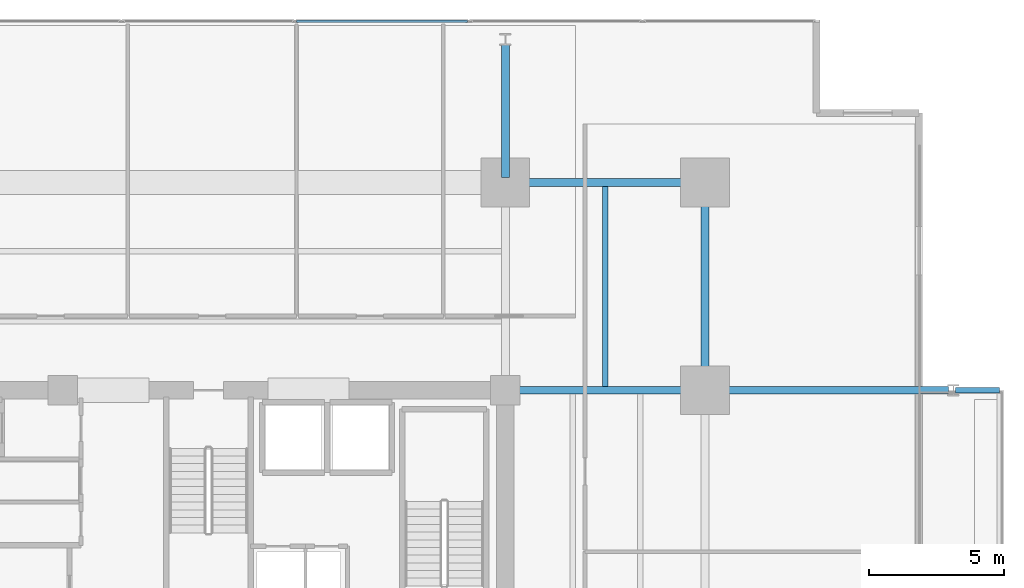
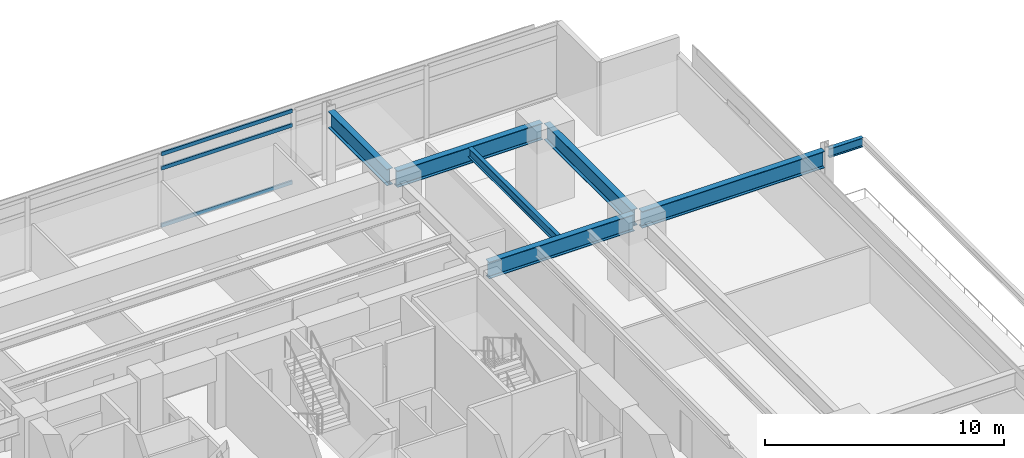
# One storey, part 10 of 21: 7 beams, 3 members, 1 element without a shape of its own.
"""IFC4 building model written with IfcOpenShell, lengths in metres."""

from ifc_helpers import new_model, si_unit, direction, frame, origin, origin_2d, place, context, subcontext, project, spatial, hollow_rectangle, i_section, extrude, material, material_profile, profile_set, type_object, element, aggregate, save


model = new_model("IFC4")

# Units and contexts
model_context = context("Model", 3, precision=1e-05, world=origin(), true_north=direction((0.0, 1.0)))
body_context = subcontext(model_context, "Body", "Model", "MODEL_VIEW")
ifc_project = project(units=[si_unit("LENGTHUNIT", "METRE"), si_unit("AREAUNIT", "SQUARE_METRE"), si_unit("VOLUMEUNIT", "CUBIC_METRE"), si_unit("PLANEANGLEUNIT", "RADIAN"), si_unit("MASSUNIT", "GRAM", prefix="KILO")], contexts=[model_context])

# Site, building, storey
site_placement = place(None, origin())
site = spatial("IfcSite", under=ifc_project, at=site_placement, CompositionType="ELEMENT")
building_placement = place(site_placement, origin())
building = spatial("IfcBuilding", under=site, at=building_placement, Name="Kovane Verandah Tower", CompositionType="ELEMENT")
storey_placement = place(building_placement, frame((0.0, 0.0, 87.60009765625)))
storey = spatial("IfcBuildingStorey", under=building, at=storey_placement, Name="L20", CompositionType="ELEMENT", Elevation=87.60009765625)

# Beams
ifc_material_1 = material(Name="Steel S355", Category="steel")
ifc_material_profile_1 = material_profile(ifc_material_1, i_section(OverallWidth=0.293701171875, OverallDepth=0.850830078125, WebThickness=0.01611328125, FlangeThickness=0.02685546875, FilletRadius=0.017822265625, at=origin_2d()), Name="UB838x292x226")
ifc_profile_set_1 = profile_set([ifc_material_profile_1], Name="Steel S355")
beam_type_1 = type_object("IfcBeamType", Name="BM-UB838x226", PredefinedType="BEAM", material=ifc_profile_set_1)
beam_1_placement = place(storey_placement, frame((51.179931640625, 44.199951171875, 3.33447265625), z_axis=(1.0, 0.0, 0.0), x_axis=(0.0, 1.0, 0.0)))
element("IfcBeam", 1, at=beam_1_placement, inside=storey, type_object=beam_type_1, Name="L20 Primary Tower Girder G-RN3", PredefinedType="BEAM", context=body_context, shape_type="SweptSolid", body=[
    extrude(i_section(OverallWidth=0.293701171875, OverallDepth=0.850830078125, WebThickness=0.01611328125, FlangeThickness=0.02685546875, FilletRadius=0.017822265625, at=origin_2d()), origin(), (0.0, 0.0, 1.0), 7.0400390625),
])
beam_2_placement = place(storey_placement, frame((58.39990234375, 36.679931640625, 3.33447265625), z_axis=(0.0, 1.0, 0.0), x_axis=(-1.0, 0.0, 0.0)))
element("IfcBeam", 2, at=beam_2_placement, inside=storey, type_object=beam_type_1, Name="L20 Primary Tower Girder G-RE3", PredefinedType="BEAM", context=body_context, shape_type="SweptSolid", body=[
    extrude(i_section(OverallWidth=0.293701171875, OverallDepth=0.850830078125, WebThickness=0.01611328125, FlangeThickness=0.02685546875, FilletRadius=0.017822265625, at=origin_2d()), origin(), (0.0, 0.0, 1.0), 7.340087890625),
])
beam_3_placement = place(storey_placement, frame((51.179931640625, 36.5, 3.33447265625), z_axis=(1.0, 0.0, 0.0), x_axis=(0.0, 1.0, 0.0)))
element("IfcBeam", 3, at=beam_3_placement, inside=storey, type_object=beam_type_1, Name="L20 Primary Tower Girder G-E2", PredefinedType="BEAM", context=body_context, shape_type="SweptSolid", body=[
    extrude(i_section(OverallWidth=0.293701171875, OverallDepth=0.850830078125, WebThickness=0.01611328125, FlangeThickness=0.02685546875, FilletRadius=0.017822265625, at=origin_2d()), origin(), (0.0, 0.0, 1.0), 7.0400390625),
])
beam_4_placement = place(storey_placement, frame((58.580078125, 36.5, 3.33447265625), z_axis=(1.0, 0.0, 0.0), x_axis=(0.0, 1.0, 0.0)))
element("IfcBeam", 4, at=beam_4_placement, inside=storey, type_object=beam_type_1, Name="L20 Primary Tower Girder G-VE2", PredefinedType="BEAM", context=body_context, shape_type="SweptSolid", body=[
    extrude(i_section(OverallWidth=0.293701171875, OverallDepth=0.850830078125, WebThickness=0.01611328125, FlangeThickness=0.02685546875, FilletRadius=0.017822265625, at=origin_2d()), origin(), (0.0, 0.0, 1.0), 8.83984375),
])
beam_5_placement = place(storey_placement, frame((51.0, 44.3798828125, 3.33447265625), z_axis=(0.0, 1.0, 0.0), x_axis=(-1.0, 0.0, 0.0)))
element("IfcBeam", 5, at=beam_5_placement, inside=storey, type_object=beam_type_1, Name="L20 Primary Tower Girder G-VN2", PredefinedType="BEAM", context=body_context, shape_type="SweptSolid", body=[
    extrude(i_section(OverallWidth=0.293701171875, OverallDepth=0.850830078125, WebThickness=0.01611328125, FlangeThickness=0.02685546875, FilletRadius=0.017822265625, at=origin_2d()), origin(), (0.0, 0.0, 1.0), 4.940185546875),
])

# Curtain wall, members
ifc_material_2 = material(Name="Champagne Anodised Aluminium Frame with Low-E Clear Laminated Glass", Category="aluminium")
curtain_wall_type = type_object("IfcCurtainWallType", Name="CW-SYS-02-LOW", PredefinedType="NOTDEFINED", material=ifc_material_2)
curtain_wall_placement = place(storey_placement, origin())
curtain_wall = element("IfcCurtainWall", 6, at=curtain_wall_placement, inside=storey, type_object=curtain_wall_type, Name="L20 N Unitised Curtain Wall", PredefinedType="NOTDEFINED")
ifc_material_3 = material(Name="Champagne Anodised Aluminium 6063-T6", Category="aluminium")
ifc_material_profile_2 = material_profile(ifc_material_3, hollow_rectangle(XDim=0.0849609375, YDim=0.18994140625, WallThickness=0.00390625, at=origin_2d()), Name="AL85x190x4")
ifc_profile_set_2 = profile_set([ifc_material_profile_2], Name="Champagne Anodised Aluminium 6063-T6")
member_type = type_object("IfcMemberType", Name="CW-TRN-85x190", PredefinedType="USERDEFINED", material=ifc_profile_set_2)
member_1_placement = place(storey_placement, frame((49.605712890625, 50.1708984375, 0.0498046875), z_axis=(-1.0, 0.0, 0.0), x_axis=(0.0, -1.0, 0.0)))
member_1 = element("IfcMember", 7, at=member_1_placement, type_object=member_type, Name="L20 N Unitised Curtain Wall Transom TB Bay 3", ObjectType="TRANSOM", PredefinedType="USERDEFINED", context=body_context, shape_type="SweptSolid", body=[
    extrude(hollow_rectangle(XDim=0.0849609375, YDim=0.18994140625, WallThickness=0.00390625, at=origin_2d()), origin(), (0.0, 0.0, 1.0), 6.337158203125),
])
member_2_placement = place(storey_placement, frame((49.605712890625, 50.1708984375, 2.97998046875), z_axis=(-1.0, 0.0, 0.0), x_axis=(0.0, -1.0, 0.0)))
member_2 = element("IfcMember", 8, at=member_2_placement, type_object=member_type, Name="L20 N Unitised Curtain Wall Transom TM Bay 3", ObjectType="TRANSOM", PredefinedType="USERDEFINED", context=body_context, shape_type="SweptSolid", body=[
    extrude(hollow_rectangle(XDim=0.0849609375, YDim=0.18994140625, WallThickness=0.00390625, at=origin_2d()), origin(), (0.0, 0.0, 1.0), 6.337158203125),
])
member_3_placement = place(storey_placement, frame((49.605712890625, 50.1708984375, 3.7099609375), z_axis=(-1.0, 0.0, 0.0), x_axis=(0.0, -1.0, 0.0)))
member_3 = element("IfcMember", 9, at=member_3_placement, type_object=member_type, Name="L20 N Unitised Curtain Wall Transom TT Bay 3", ObjectType="TRANSOM", PredefinedType="USERDEFINED", context=body_context, shape_type="SweptSolid", body=[
    extrude(hollow_rectangle(XDim=0.0849609375, YDim=0.18994140625, WallThickness=0.00390625, at=origin_2d()), origin(), (0.0, 0.0, 1.0), 6.337158203125),
])
aggregate(curtain_wall, [member_1, member_2, member_3])

# Beams
ifc_material_profile_3 = material_profile(ifc_material_1, i_section(OverallWidth=0.19287109375, OverallDepth=0.46728515625, WebThickness=0.011474609375, FlangeThickness=0.01953125, FilletRadius=0.01025390625, at=origin_2d()), Name="UB457x191x98")
ifc_profile_set_3 = profile_set([ifc_material_profile_3], Name="Steel S355")
beam_type_2 = type_object("IfcBeamType", Name="JST-UB457x98", PredefinedType="JOIST", material=ifc_profile_set_3)
beam_6_placement = place(storey_placement, frame((54.699951171875, 36.64501953125, 3.5263671875), z_axis=(0.0, 1.0, 0.0), x_axis=(-1.0, 0.0, 0.0)))
element("IfcBeam", 10, at=beam_6_placement, inside=storey, type_object=beam_type_2, Name="L20 Secondary Composite Joist J-NE1", PredefinedType="JOIST", context=body_context, shape_type="SweptSolid", body=[
    extrude(i_section(OverallWidth=0.19287109375, OverallDepth=0.46728515625, WebThickness=0.011474609375, FlangeThickness=0.01953125, FilletRadius=0.01025390625, at=origin_2d()), origin(), (0.0, 0.0, 1.0), 7.41015625),
])
beam_7_placement = place(storey_placement, frame((67.679931640625, 36.5, 3.5263671875), z_axis=(1.0, 0.0, 0.0), x_axis=(0.0, 1.0, 0.0)))
element("IfcBeam", 11, at=beam_7_placement, inside=storey, type_object=beam_type_2, Name="L20 East Planter Girder 2", PredefinedType="JOIST", context=body_context, shape_type="SweptSolid", body=[
    extrude(i_section(OverallWidth=0.19287109375, OverallDepth=0.46728515625, WebThickness=0.011474609375, FlangeThickness=0.01953125, FilletRadius=0.01025390625, at=origin_2d()), origin(), (0.0, 0.0, 1.0), 1.63427734375),
])

save(model, "model.ifc")
